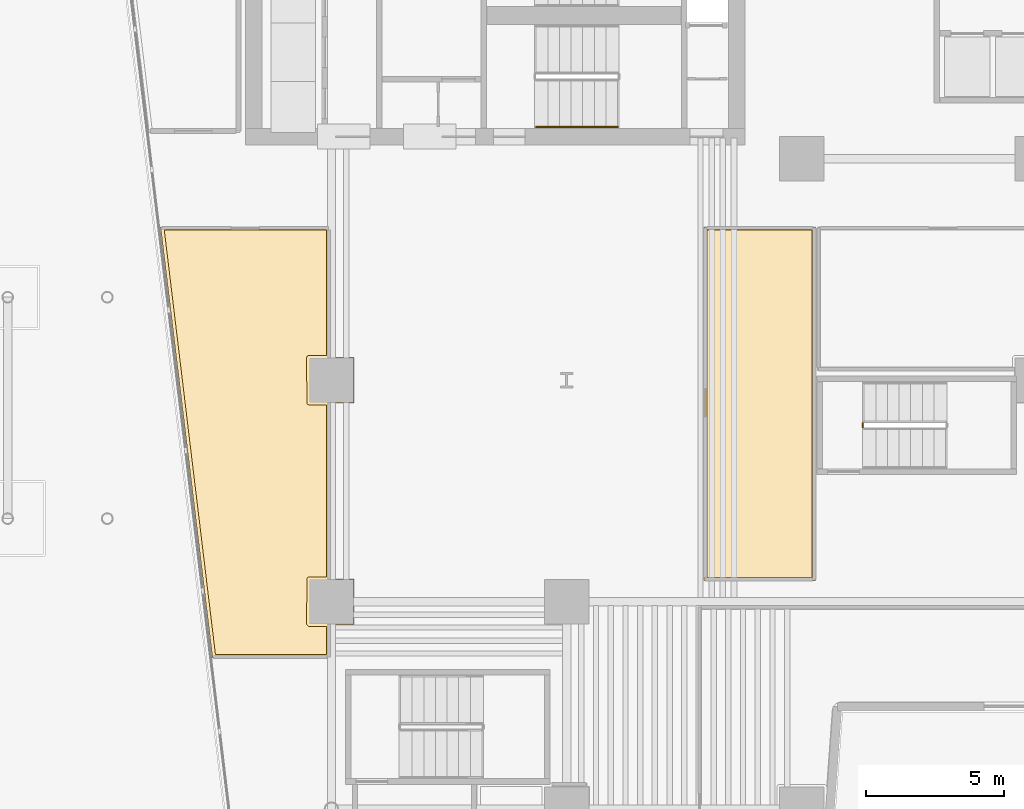
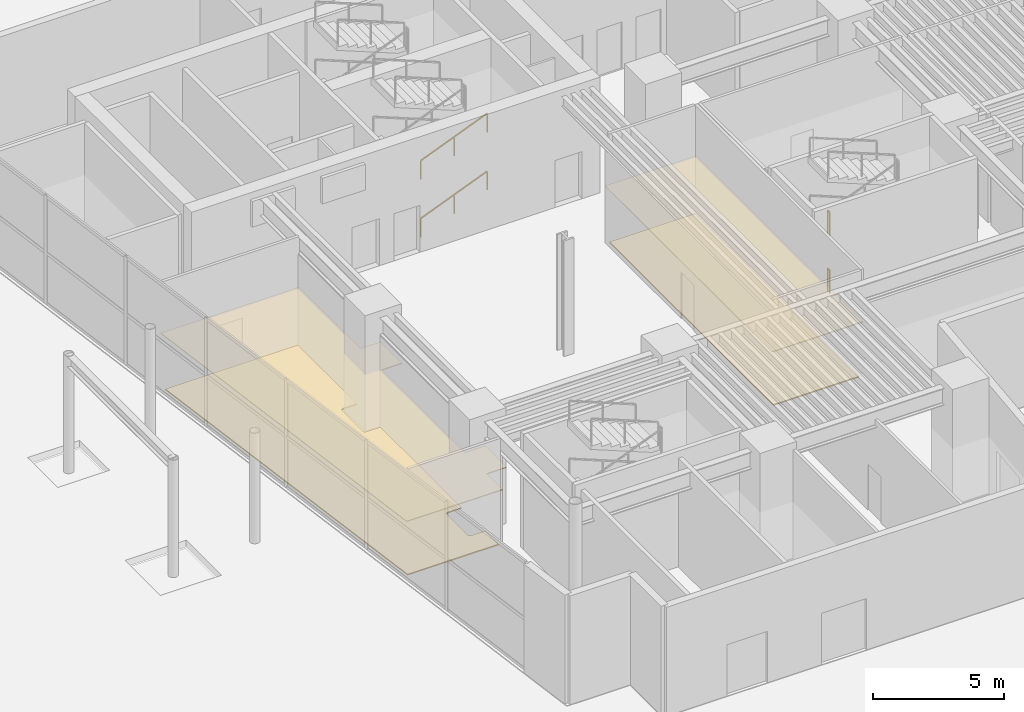
# One storey, part 14 of 18: 4 coverings, 4 railings.
"""IFC4 building model written with IfcOpenShell, lengths in metres."""

from ifc_helpers import new_model, si_unit, direction, frame, origin, origin_2d, place, context, subcontext, project, spatial, polyline, rectangle, outline, extrude, material, layer, layer_set, type_object, element, save


model = new_model("IFC4")

# Units and contexts
model_context = context("Model", 3, precision=1e-05, world=origin(), true_north=direction((0.0, 1.0)))
body_context = subcontext(model_context, "Body", "Model", "MODEL_VIEW")
ifc_project = project(units=[si_unit("LENGTHUNIT", "METRE"), si_unit("AREAUNIT", "SQUARE_METRE"), si_unit("VOLUMEUNIT", "CUBIC_METRE"), si_unit("PLANEANGLEUNIT", "RADIAN"), si_unit("MASSUNIT", "GRAM", prefix="KILO")], contexts=[model_context])

# Site, building, storey
site_placement = place(None, origin())
site = spatial("IfcSite", under=ifc_project, at=site_placement, CompositionType="ELEMENT")
building_placement = place(site_placement, origin())
building = spatial("IfcBuilding", under=site, at=building_placement, Name="Caeloran Harvest Quay", CompositionType="ELEMENT")
storey_placement = place(building_placement, origin())
storey = spatial("IfcBuildingStorey", under=building, at=storey_placement, Name="L01", CompositionType="ELEMENT", Elevation=0.0)

# Coverings
ifc_material_1 = material(Name="Perforated Mineral-Fibre Acoustic Ceiling Tile", Category="ceiling")
ifc_layer_1 = layer(ifc_material_1, 0.0400390625, Name="Perforated Mineral-Fibre Acoustic Ceiling Tile")
ifc_layer_set_1 = layer_set([ifc_layer_1], Name="Perforated Mineral-Fibre Acoustic Ceiling Tile")
covering_type_1 = type_object("IfcCoveringType", Name="COV-CEILING-ACOUSTIC", PredefinedType="CEILING", material=ifc_layer_set_1)
covering_1_placement = place(storey_placement, frame((0.0, 0.0, 2.60009765625)))
element("IfcCovering", 1, at=covering_1_placement, inside=storey, type_object=covering_type_1, Name="West Harbourfront Wet-Dry Harvest Market Hall Acoustic Ceiling", PredefinedType="CEILING", context=body_context, shape_type="SweptSolid", body=[
    extrude(outline(polyline([(9.320068359375, 15.820068359375), (9.320068359375, 14.179931640625), (8.43994140625, 14.179931640625), (8.43994140625, 12.9599609375), (4.20361328125, 12.9599609375), (2.325927734375, 28.5400390625), (8.43994140625, 28.5400390625), (8.43994140625, 23.820068359375), (9.320068359375, 23.820068359375), (9.320068359375, 22.179931640625), (8.43994140625, 22.179931640625), (8.43994140625, 15.820068359375), (9.320068359375, 15.820068359375)])), origin(), (0.0, 0.0, 1.0), 0.039794921875),
])
covering_2_placement = place(storey_placement, frame((0.0, 0.0, 2.60009765625)))
element("IfcCovering", 2, at=covering_2_placement, inside=storey, type_object=covering_type_1, Name="Walk-In Produce Chiller Store (+2 C) Acoustic Ceiling", PredefinedType="CEILING", context=body_context, shape_type="SweptSolid", body=[
    extrude(outline(polyline([(25.989990234375, 28.5400390625), (25.989990234375, 15.760009765625), (21.9599609375, 15.760009765625), (21.9599609375, 28.5400390625), (25.989990234375, 28.5400390625)])), origin(), (0.0, 0.0, 1.0), 0.039794921875),
])
ifc_material_2 = material(Name="Calcium-Sulphate Raised Access Floor and Terrazzo Finish", Category="flooring")
ifc_layer_2 = layer(ifc_material_2, 0.050048828125, Name="Calcium-Sulphate Raised Access Floor and Terrazzo Finish")
ifc_layer_set_2 = layer_set([ifc_layer_2], Name="Calcium-Sulphate Raised Access Floor and Terrazzo Finish")
covering_type_2 = type_object("IfcCoveringType", Name="COV-FLOOR-RAISED", PredefinedType="FLOORING", material=ifc_layer_set_2)
covering_3_placement = place(storey_placement, origin())
element("IfcCovering", 3, at=covering_3_placement, inside=storey, type_object=covering_type_2, Name="West Harbourfront Wet-Dry Harvest Market Hall Raised Finish Flooring", PredefinedType="FLOORING", context=body_context, shape_type="SweptSolid", body=[
    extrude(outline(polyline([(4.31005859375, 13.080078125), (2.461181640625, 28.419921875), (8.320068359375, 28.419921875), (8.320068359375, 23.89501953125), (7.67724609375, 23.89453125), (7.623291015625, 23.86572265625), (7.60498046875, 23.81494140625), (7.611083984375, 22.154296875), (7.67724609375, 22.10546875), (8.320068359375, 22.10498046875), (8.320068359375, 15.89501953125), (7.67724609375, 15.89453125), (7.611083984375, 15.845703125), (7.60546875, 14.17724609375), (7.67724609375, 14.10546875), (8.320068359375, 14.10498046875), (8.320068359375, 13.080078125), (4.31005859375, 13.080078125)])), origin(), (0.0, 0.0, 1.0), 0.050048828125),
])
covering_4_placement = place(storey_placement, origin())
element("IfcCovering", 4, at=covering_4_placement, inside=storey, type_object=covering_type_2, Name="Walk-In Produce Chiller Store (+2 C) Raised Finish Flooring", PredefinedType="FLOORING", context=body_context, shape_type="SweptSolid", body=[
    extrude(outline(polyline([(25.8701171875, 28.419921875), (25.8701171875, 15.8798828125), (22.080078125, 15.8798828125), (22.080078125, 28.419921875), (25.8701171875, 28.419921875)])), origin(), (0.0, 0.0, 1.0), 0.050048828125),
])

# Railings
ifc_material_3 = material(Name="Painted Steel Baluster and Top-Rail Stair Guard", Category="steel")
ifc_layer_3 = layer(ifc_material_3, 0.050048828125, Name="Painted Steel Baluster and Top-Rail Stair Guard")
ifc_layer_set_3 = layer_set([ifc_layer_3], Name="Painted Steel Baluster and Top-Rail Stair Guard")
railing_type_1 = type_object("IfcRailingType", Name="STAIR-GUARD-1100", PredefinedType="GUARDRAIL", material=ifc_layer_set_3)
for number, where, name in (
    (5, (27.699951171875, 21.300048828125, 2.699951171875), "L01 ST-W1 stair guard 4"),
    (6, (27.699951171875, 21.300048828125, 0.0), "L01 ST-W1 stair guard 8"),
):
    element("IfcRailing", number, at=place(storey_placement, frame(where)), inside=storey, type_object=railing_type_1, Name=name, PredefinedType="GUARDRAIL", context=body_context, shape_type="SweptSolid", body=[
        extrude(rectangle(XDim=0.048095703125, YDim=0.048095703125, at=origin_2d()), frame((0.0, 0.0, 1.076171875), z_axis=(0.0, 1.0, 0.0), x_axis=(-1.0, 0.0, 0.0)), (0.0, 0.0, 1.0), 0.14990234375),
        extrude(rectangle(XDim=0.0419921875, YDim=0.0419921875, at=origin_2d()), origin(), (0.0, 0.0, 1.0), 1.052001953125),
        extrude(rectangle(XDim=0.0419921875, YDim=0.0419921875, at=origin_2d()), frame((0.0, 0.14990234375, 0.0)), (0.0, 0.0, 1.0), 1.052001953125),
    ])
ifc_material_4 = material(Name="Brushed Stainless Steel Grade 304", Category="steel")
ifc_layer_4 = layer(ifc_material_4, 0.050048828125, Name="Brushed Stainless Steel Grade 304")
ifc_layer_set_4 = layer_set([ifc_layer_4], Name="Brushed Stainless Steel Grade 304")
railing_type_2 = type_object("IfcRailingType", Name="STAIR-HANDRAIL-900", PredefinedType="HANDRAIL", material=ifc_layer_set_4)
for number, where, name in (
    (7, (15.89990234375, 32.14990234375, 0.168701171875), "L01 ST-C2 stair handrail 1"),
    (8, (15.89990234375, 32.14990234375, 2.86865234375), "L01 ST-C2 stair handrail 3"),
):
    element("IfcRailing", number, at=place(storey_placement, frame(where)), inside=storey, type_object=railing_type_2, Name=name, PredefinedType="HANDRAIL", context=body_context, shape_type="SweptSolid", body=[
        extrude(rectangle(XDim=0.048095703125, YDim=0.048095703125, at=origin_2d()), frame((0.0, 0.0, 0.8759765625), z_axis=(0.927896368829, 0.0, 0.372838207155), x_axis=(0.0, 1.0, 0.0)), (0.0, 0.0, 1.0), 3.168701171875),
        extrude(rectangle(XDim=0.0419921875, YDim=0.0419921875, at=origin_2d()), origin(), (0.0, 0.0, 1.0), 0.851806640625),
        extrude(rectangle(XDim=0.0419921875, YDim=0.0419921875, at=origin_2d()), frame((1.47021484375, 0.0, 0.5908203125)), (0.0, 0.0, 1.0), 0.851806640625),
        extrude(rectangle(XDim=0.0419921875, YDim=0.0419921875, at=origin_2d()), frame((2.940185546875, 0.0, 1.181396484375)), (0.0, 0.0, 1.0), 0.851806640625),
    ])

save(model, "model.ifc")
